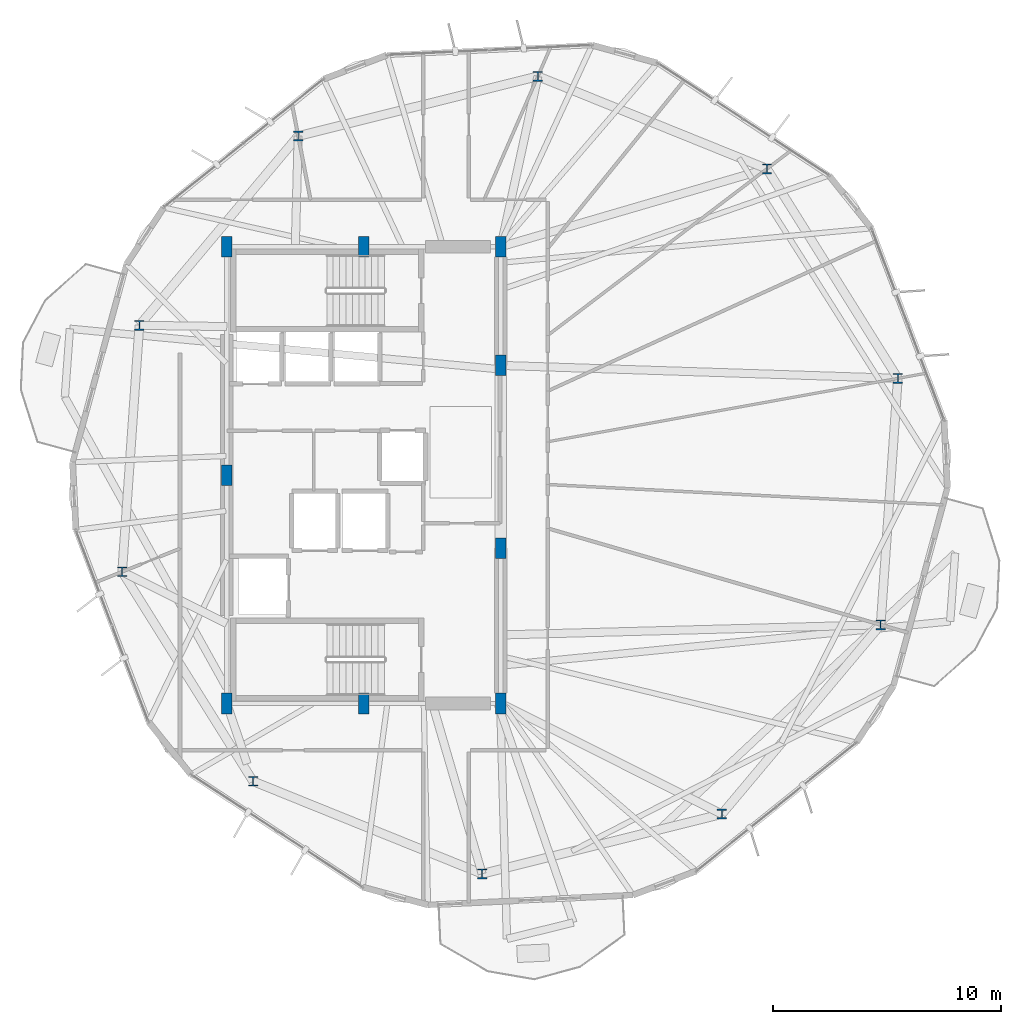
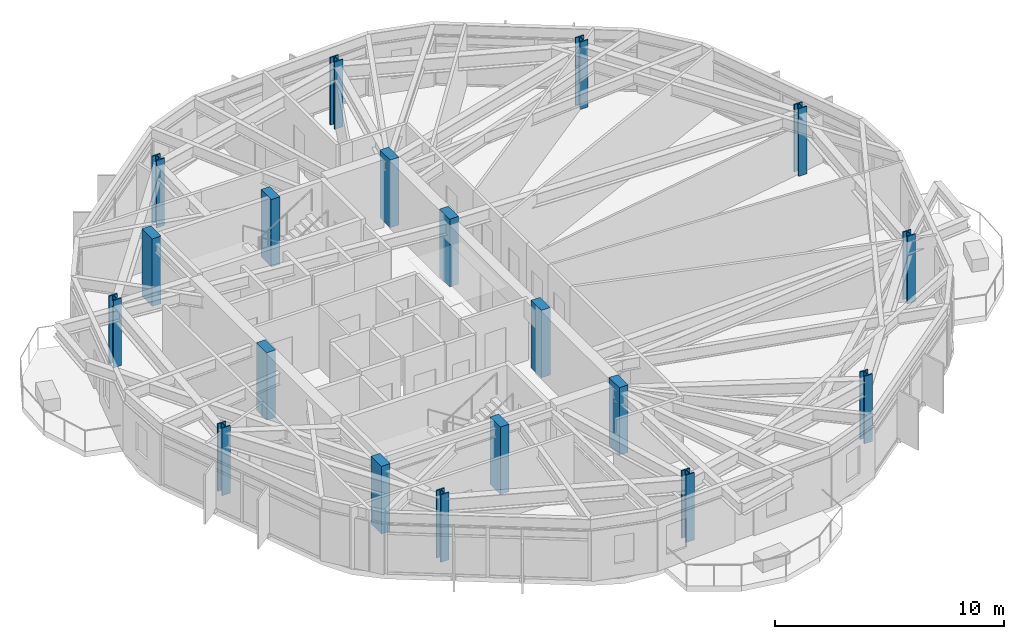
# One storey, part 1 of 23: 19 columns.
"""IFC4 building model written with IfcOpenShell, lengths in metres."""

from ifc_helpers import new_model, si_unit, direction, frame, origin, origin_2d, place, context, subcontext, project, spatial, rectangle, i_section, extrude, material, material_profile, profile_set, type_object, element, save


model = new_model("IFC4")

# Units and contexts
model_context = context("Model", 3, precision=1e-05, world=origin(), true_north=direction((0.0, 1.0)))
body_context = subcontext(model_context, "Body", "Model", "MODEL_VIEW")
ifc_project = project(units=[si_unit("LENGTHUNIT", "METRE"), si_unit("AREAUNIT", "SQUARE_METRE"), si_unit("VOLUMEUNIT", "CUBIC_METRE"), si_unit("PLANEANGLEUNIT", "RADIAN"), si_unit("MASSUNIT", "GRAM", prefix="KILO")], contexts=[model_context])

# Site, building, storey
site_placement = place(None, origin())
site = spatial("IfcSite", under=ifc_project, at=site_placement, CompositionType="ELEMENT")
building_placement = place(site_placement, origin())
building = spatial("IfcBuilding", under=site, at=building_placement, Name="Soratama Intermodal Tower", CompositionType="ELEMENT")
storey_placement = place(building_placement, frame((0.0, 0.0, 175.0)))
storey = spatial("IfcBuildingStorey", under=building, at=storey_placement, Name="L43", CompositionType="ELEMENT", Elevation=175.0)

# Columns
ifc_material_1 = material(Name="Structural steel ASTM A992 Grade 50", Category="steel")
ifc_material_profile_1 = material_profile(ifc_material_1, i_section(OverallWidth=0.412109375, OverallDepth=0.43505859375, WebThickness=0.035888671875, FlangeThickness=0.057373046875, FilletRadius=0.0380859375, at=origin_2d()), Name="W14X311")
ifc_profile_set_1 = profile_set([ifc_material_profile_1], Name="Structural steel ASTM A992 Grade 50")
column_type_1 = type_object("IfcColumnType", Name="COL-ZC-W14X311", PredefinedType="COLUMN", material=ifc_profile_set_1)
for number, where, z_axis, x_axis, name in (
    (1, (61.980224609375, 29.233642578125, 0.0), (0.0, 0.0, 1.0), (1.0, 0.0, 0.0), "L43 Tower Ring Column R01"),
    (2, (56.248779296875, 38.40576171875, 0.0), (0.0, 0.0, 1.0), (1.0, 0.0, 0.0), "L43 Tower Ring Column R02"),
    (3, (46.220703125, 42.45751953125, 0.0), (0.0, 0.0, 1.0), (1.0, 0.0, 0.0), "L43 Tower Ring Column R03"),
    (4, (35.726318359375, 39.8408203125, 0.0), (0.0, 0.0, 1.0), (1.0, 0.0, 0.0), "L43 Tower Ring Column R04"),
    (5, (28.7744140625, 31.5556640625, 0.0), (0.0, 0.0, 1.0), (1.0, 0.0, 0.0), "L43 Tower Ring Column R05"),
    (6, (28.019775390625, 20.766357421875, 0.0), (0.0, 0.0, 1.0), (1.0, 0.0, 0.0), "L43 Tower Ring Column R06"),
    (7, (33.751220703125, 11.59423828125, 0.0), (0.0, 0.0, 1.0), (1.0, 0.0, 0.0), "L43 Tower Ring Column R07"),
    (8, (43.779296875, 7.54248046875, 0.0), (0.0, 0.0, 1.0), (1.0, 0.0, 0.0), "L43 Tower Ring Column R08"),
    (9, (54.273681640625, 10.1591796875, 0.0), (0.0, 0.0, 1.0), (1.0, 0.0, 0.0), "L43 Tower Ring Column R09"),
    (10, (61.2255859375, 18.4443359375, 0.0), (0.0, 0.0, 1.0), (1.0, 0.0, 0.0), "L43 Tower Ring Column R10"),
):
    element("IfcColumn", number, at=place(storey_placement, frame(where, z_axis=z_axis, x_axis=x_axis)), inside=storey, type_object=column_type_1, Name=name, PredefinedType="COLUMN", context=body_context, shape_type="SweptSolid", body=[
        extrude(i_section(OverallWidth=0.412109375, OverallDepth=0.43505859375, WebThickness=0.035888671875, FlangeThickness=0.057373046875, FilletRadius=0.0380859375, at=origin_2d()), origin(), (0.0, 0.0, 1.0), 3.60009765625),
    ])
ifc_material_2 = material(Name="Concrete f'c 56 MPa", Category="concrete")
ifc_material_profile_2 = material_profile(ifc_material_2, rectangle(XDim=0.449951171875, YDim=0.89990234375, at=origin_2d()), Name="RC450X900")
ifc_profile_set_2 = profile_set([ifc_material_profile_2], Name="Concrete f'c 56 MPa")
column_type_2 = type_object("IfcColumnType", Name="PIL-CORE-450X900", PredefinedType="PILASTER", material=ifc_profile_set_2)
for number, where, z_axis, x_axis, name in (
    (11, (32.60009765625, 15.0, 0.0), (0.0, 0.0, 1.0), (1.0, 0.0, 0.0), "L43 Core Pilaster 1"),
    (12, (32.60009765625, 25.0, 0.0), (0.0, 0.0, 1.0), (1.0, 0.0, 0.0), "L43 Core Pilaster 2"),
    (13, (32.60009765625, 35.0, 0.0), (0.0, 0.0, 1.0), (1.0, 0.0, 0.0), "L43 Core Pilaster 3"),
    (14, (38.60009765625, 15.0, 0.0), (0.0, 0.0, 1.0), (1.0, 0.0, 0.0), "L43 Core Pilaster 4"),
    (15, (38.60009765625, 35.0, 0.0), (0.0, 0.0, 1.0), (1.0, 0.0, 0.0), "L43 Core Pilaster 5"),
    (16, (44.60009765625, 15.0, 0.0), (0.0, 0.0, 1.0), (1.0, 0.0, 0.0), "L43 Core Pilaster 6"),
    (17, (44.60009765625, 21.800048828125, 0.0), (0.0, 0.0, 1.0), (1.0, 0.0, 0.0), "L43 Core Pilaster 7"),
    (18, (44.60009765625, 29.800048828125, 0.0), (0.0, 0.0, 1.0), (1.0, 0.0, 0.0), "L43 Core Pilaster 8"),
    (19, (44.60009765625, 35.0, 0.0), (0.0, 0.0, 1.0), (1.0, 0.0, 0.0), "L43 Core Pilaster 9"),
):
    element("IfcColumn", number, at=place(storey_placement, frame(where, z_axis=z_axis, x_axis=x_axis)), inside=storey, type_object=column_type_2, Name=name, PredefinedType="PILASTER", context=body_context, shape_type="SweptSolid", body=[
        extrude(rectangle(XDim=0.449951171875, YDim=0.89990234375, at=origin_2d()), origin(), (0.0, 0.0, 1.0), 3.60009765625),
    ])

save(model, "model.ifc")
